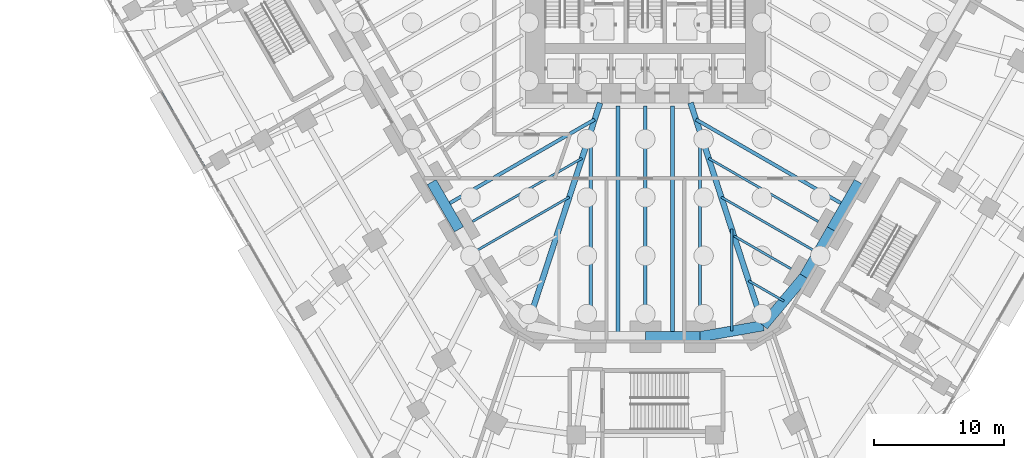
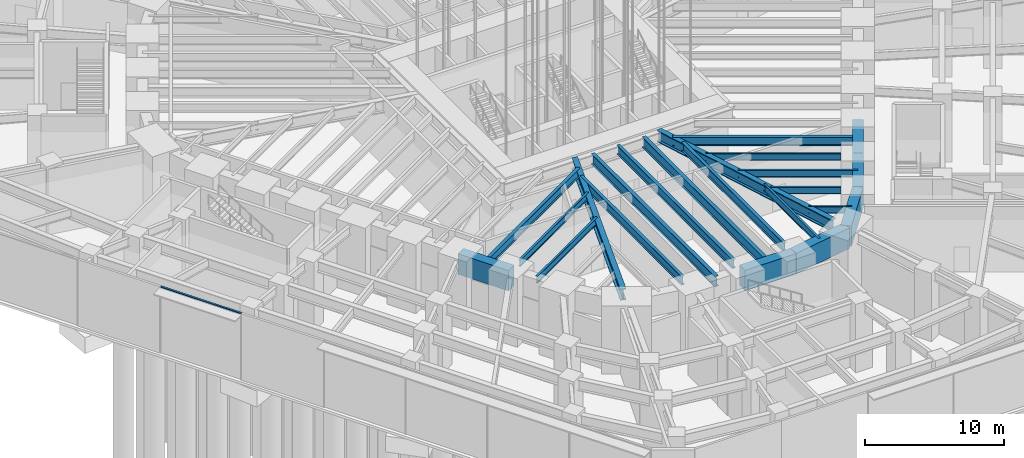
# One storey, part 5 of 34: 22 beams, 1 member, 1 element without a shape of its own.
"""IFC4 building model written with IfcOpenShell, lengths in metres."""

from ifc_helpers import new_model, si_unit, direction, frame, origin, origin_2d, place, context, subcontext, project, spatial, rectangle, i_section, extrude, material, material_profile, profile_set, type_object, element, aggregate, save


model = new_model("IFC4")

# Units and contexts
model_context = context("Model", 3, precision=1e-05, world=origin(), true_north=direction((0.0, 1.0)))
body_context = subcontext(model_context, "Body", "Model", "MODEL_VIEW")
ifc_project = project(units=[si_unit("LENGTHUNIT", "METRE"), si_unit("AREAUNIT", "SQUARE_METRE"), si_unit("VOLUMEUNIT", "CUBIC_METRE"), si_unit("PLANEANGLEUNIT", "RADIAN"), si_unit("MASSUNIT", "GRAM", prefix="KILO")], contexts=[model_context])

# Site, building, storey
site_placement = place(None, origin())
site = spatial("IfcSite", under=ifc_project, at=site_placement, CompositionType="ELEMENT")
building_placement = place(site_placement, origin())
building = spatial("IfcBuilding", under=site, at=building_placement, Name="Sandreach Pilgrim Tower", CompositionType="ELEMENT")
storey_placement = place(building_placement, origin())
storey = spatial("IfcBuildingStorey", under=building, at=storey_placement, Name="L00", CompositionType="ELEMENT", Elevation=0.0)

# Curtain wall, member
ifc_material_1 = material(Name="Aluminium framed curtain wall", Category="aluminium")
curtain_wall_type = type_object("IfcCurtainWallType", Name="Podium storefront curtain wall", PredefinedType="NOTDEFINED", material=ifc_material_1)
curtain_wall_placement = place(storey_placement, origin())
curtain_wall = element("IfcCurtainWall", 1, at=curtain_wall_placement, inside=storey, type_object=curtain_wall_type, Name="CW-P L00 SWB", PredefinedType="NOTDEFINED")
ifc_material_2 = material(Name="Aluminium extrusion", Category="aluminium")
ifc_material_profile_1 = material_profile(ifc_material_2, rectangle(XDim=0.159912109375, YDim=0.070068359375, at=origin_2d()), Name="CW-PT 160X70")
ifc_profile_set_1 = profile_set([ifc_material_profile_1], Name="Aluminium extrusion")
member_type = type_object("IfcMemberType", Name="CW-P transom", PredefinedType="USERDEFINED", material=ifc_profile_set_1)
member_placement = place(storey_placement, frame((-34.0244140625, -15.638916015625, 5.804931640625), z_axis=(-0.500012397847, 0.866018245766, 0.0), x_axis=(-0.866018245766, -0.500012397847, 0.0)))
member = element("IfcMember", 2, at=member_placement, type_object=member_type, Name="CW-P head transom 1", ObjectType="TRANSOM", PredefinedType="USERDEFINED", context=body_context, shape_type="SweptSolid", body=[
    extrude(rectangle(XDim=0.159912109375, YDim=0.070068359375, at=origin_2d()), origin(), (0.0, 0.0, 1.0), 6.656982421875),
])
aggregate(curtain_wall, [member])

# Beams
ifc_material_3 = material(Name="Steel ASTM A992 Grade 50", Category="steel")
ifc_material_profile_2 = material_profile(ifc_material_3, i_section(OverallWidth=0.434326171875, OverallDepth=0.998291015625, WebThickness=0.0380859375, FlangeThickness=0.068115234375, at=origin_2d()), Name="W36X487")
ifc_profile_set_2 = profile_set([ifc_material_profile_2], Name="Steel ASTM A992 Grade 50")
beam_type_1 = type_object("IfcBeamType", Name="Corner girder W36X487", PredefinedType="BEAM", material=ifc_profile_set_2)
for number, where, z_axis, x_axis, name in (
    (3, (8.73388671875, -26.756103515625, 5.3408203125), (-0.310315410754, 0.950633654911, 0.0), (-0.950633654911, -0.310315410754, 0.0), "BM L00 CG22"),
    (4, (-8.73388671875, -26.756103515625, 5.3408203125), (0.310315410754, 0.950633654911, 0.0), (-0.950633654911, 0.310315410754, 0.0), "BM L00 CG26"),
):
    element("IfcBeam", number, at=place(storey_placement, frame(where, z_axis=z_axis, x_axis=x_axis)), inside=storey, type_object=beam_type_1, Name=name, PredefinedType="BEAM", context=body_context, shape_type="SweptSolid", body=[
        extrude(i_section(OverallWidth=0.434326171875, OverallDepth=0.998291015625, WebThickness=0.0380859375, FlangeThickness=0.068115234375, at=origin_2d()), origin(), (0.0, 0.0, 1.0), 16.889892578125),
    ])
ifc_material_4 = material(Name="Steel ASTM A992 Grade 50", Category="steel")
ifc_material_profile_3 = material_profile(ifc_material_4, i_section(OverallWidth=0.1787109375, OverallDepth=0.60205078125, WebThickness=0.010986328125, FlangeThickness=0.014892578125, at=origin_2d()), Name="W24X62")
ifc_profile_set_3 = profile_set([ifc_material_profile_3], Name="Steel ASTM A992 Grade 50")
beam_type_2 = type_object("IfcBeamType", Name="Floor beam W24X62", PredefinedType="BEAM", material=ifc_profile_set_3)
beam_1_placement = place(storey_placement, frame((13.347412109375, -19.859130859375, 5.5390625), z_axis=(-0.866025751498, 0.499999397742, 0.0), x_axis=(-0.499999397742, -0.866025751498, 0.0)))
element("IfcBeam", 5, at=beam_1_placement, inside=storey, type_object=beam_type_2, Name="BM L00 F20", PredefinedType="BEAM", context=body_context, shape_type="SweptSolid", body=[
    extrude(i_section(OverallWidth=0.1787109375, OverallDepth=0.60205078125, WebThickness=0.010986328125, FlangeThickness=0.014892578125, at=origin_2d()), origin(), (0.0, 0.0, 1.0), 9.767578125),
])
beam_2_placement = place(storey_placement, frame((11.242431640625, -23.5048828125, 5.5390625), z_axis=(-0.866027897259, 0.49999568115, 0.0), x_axis=(-0.49999568115, -0.866027897259, 0.0)))
element("IfcBeam", 6, at=beam_2_placement, inside=storey, type_object=beam_type_2, Name="BM L00 F21", PredefinedType="BEAM", context=body_context, shape_type="SweptSolid", body=[
    extrude(i_section(OverallWidth=0.1787109375, OverallDepth=0.60205078125, WebThickness=0.010986328125, FlangeThickness=0.014892578125, at=origin_2d()), origin(), (0.0, 0.0, 1.0), 5.0791015625),
])
beam_3_placement = place(storey_placement, frame((-13.347412109375, -19.859130859375, 5.5390625), z_axis=(0.866025751498, 0.499999397742, 0.0), x_axis=(-0.499999397742, 0.866025751498, 0.0)))
element("IfcBeam", 7, at=beam_3_placement, inside=storey, type_object=beam_type_2, Name="BM L00 F28", PredefinedType="BEAM", context=body_context, shape_type="SweptSolid", body=[
    extrude(i_section(OverallWidth=0.1787109375, OverallDepth=0.60205078125, WebThickness=0.010986328125, FlangeThickness=0.014892578125, at=origin_2d()), origin(), (0.0, 0.0, 1.0), 9.767578125),
])
beam_4_placement = place(storey_placement, frame((13.334228515625, -22.281982421875, 5.5390625), z_axis=(-0.86602717807, 0.499996926835, 0.0), x_axis=(-0.499996926835, -0.86602717807, 0.0)))
element("IfcBeam", 8, at=beam_4_placement, inside=storey, type_object=beam_type_2, Name="BM L00 FM20", PredefinedType="BEAM", context=body_context, shape_type="SweptSolid", body=[
    extrude(i_section(OverallWidth=0.1787109375, OverallDepth=0.60205078125, WebThickness=0.010986328125, FlangeThickness=0.014892578125, at=origin_2d()), origin(), (0.0, 0.0, 1.0), 8.62353515625),
])
beam_5_placement = place(storey_placement, frame((10.694091796875, -26.0009765625, 5.5390625), z_axis=(-0.866023718453, 0.500002919068, 0.0), x_axis=(-0.500002919068, -0.866023718453, 0.0)))
element("IfcBeam", 9, at=beam_5_placement, inside=storey, type_object=beam_type_2, Name="BM L00 FM21", PredefinedType="BEAM", context=body_context, shape_type="SweptSolid", body=[
    extrude(i_section(OverallWidth=0.1787109375, OverallDepth=0.60205078125, WebThickness=0.010986328125, FlangeThickness=0.014892578125, at=origin_2d()), origin(), (0.0, 0.0, 1.0), 3.1396484375),
])
beam_6_placement = place(storey_placement, frame((6.664306640625, -28.323974609375, 5.5390625), z_axis=(0.0, 1.0, 0.0), x_axis=(-1.0, 0.0, 0.0)))
element("IfcBeam", 10, at=beam_6_placement, inside=storey, type_object=beam_type_2, Name="BM L00 FM22", PredefinedType="BEAM", context=body_context, shape_type="SweptSolid", body=[
    extrude(i_section(OverallWidth=0.1787109375, OverallDepth=0.60205078125, WebThickness=0.010986328125, FlangeThickness=0.014892578125, at=origin_2d()), origin(), (0.0, 0.0, 1.0), 7.907958984375),
])
beam_7_placement = place(storey_placement, frame((-13.334228515625, -22.281982421875, 5.5390625), z_axis=(0.86602717807, 0.499996926835, 0.0), x_axis=(-0.499996926835, 0.86602717807, 0.0)))
element("IfcBeam", 11, at=beam_7_placement, inside=storey, type_object=beam_type_2, Name="BM L00 FM27", PredefinedType="BEAM", context=body_context, shape_type="SweptSolid", body=[
    extrude(i_section(OverallWidth=0.1787109375, OverallDepth=0.60205078125, WebThickness=0.010986328125, FlangeThickness=0.014892578125, at=origin_2d()), origin(), (0.0, 0.0, 1.0), 8.62353515625),
])
ifc_material_5 = material(Name="Steel ASTM A992 Grade 50", Category="steel")
ifc_material_profile_4 = material_profile(ifc_material_5, i_section(OverallWidth=0.2666015625, OverallDepth=0.761962890625, WebThickness=0.014404296875, FlangeThickness=0.021484375, at=origin_2d()), Name="W30X116")
ifc_profile_set_4 = profile_set([ifc_material_profile_4], Name="Steel ASTM A992 Grade 50")
beam_type_3 = type_object("IfcBeamType", Name="Floor beam W30X116", PredefinedType="BEAM", material=ifc_profile_set_4)
for number, where, z_axis, x_axis, name in (
    (12, (4.222412109375, -27.55078125, 5.458984375), (0.0, 1.0, 0.0), (-1.0, 0.0, 0.0), "BM L00 F23"),
    (13, (-4.222412109375, -27.55078125, 5.458984375), (0.0, 1.0, 0.0), (-1.0, 0.0, 0.0), "BM L00 F25"),
):
    element("IfcBeam", number, at=place(storey_placement, frame(where, z_axis=z_axis, x_axis=x_axis)), inside=storey, type_object=beam_type_3, Name=name, PredefinedType="BEAM", context=body_context, shape_type="SweptSolid", body=[
        extrude(i_section(OverallWidth=0.2666015625, OverallDepth=0.761962890625, WebThickness=0.014404296875, FlangeThickness=0.021484375, at=origin_2d()), origin(), (0.0, 0.0, 1.0), 14.61572265625),
    ])
for number, where, z_axis, x_axis, name in (
    (14, (15.43896484375, -18.63623046875, 5.458984375), (-0.866021271874, 0.50000715661, 0.0), (-0.50000715661, -0.866021271874, 0.0), "BM L00 FM19"),
    (15, (-15.43896484375, -18.63623046875, 5.458984375), (0.866021271874, 0.50000715661, 0.0), (-0.50000715661, 0.866021271874, 0.0), "BM L00 FM28"),
):
    element("IfcBeam", number, at=place(storey_placement, frame(where, z_axis=z_axis, x_axis=x_axis)), inside=storey, type_object=beam_type_3, Name=name, PredefinedType="BEAM", context=body_context, shape_type="SweptSolid", body=[
        extrude(i_section(OverallWidth=0.2666015625, OverallDepth=0.761962890625, WebThickness=0.014404296875, FlangeThickness=0.021484375, at=origin_2d()), origin(), (0.0, 0.0, 1.0), 13.311767578125),
    ])
ifc_material_6 = material(Name="Steel ASTM A992 Grade 50", Category="steel")
ifc_material_profile_5 = material_profile(ifc_material_6, i_section(OverallWidth=0.2666015625, OverallDepth=0.77978515625, WebThickness=0.0166015625, FlangeThickness=0.030029296875, at=origin_2d()), Name="W30X148")
ifc_profile_set_5 = profile_set([ifc_material_profile_5], Name="Steel ASTM A992 Grade 50")
beam_type_4 = type_object("IfcBeamType", Name="Floor beam W30X148", PredefinedType="BEAM", material=ifc_profile_set_5)
beam_8_placement = place(storey_placement, frame((0.0, -27.55078125, 5.4501953125), z_axis=(0.0, 1.0, 0.0), x_axis=(-1.0, 0.0, 0.0)))
element("IfcBeam", 16, at=beam_8_placement, inside=storey, type_object=beam_type_4, Name="BM L00 F24", PredefinedType="BEAM", context=body_context, shape_type="SweptSolid", body=[
    extrude(i_section(OverallWidth=0.2666015625, OverallDepth=0.77978515625, WebThickness=0.0166015625, FlangeThickness=0.030029296875, at=origin_2d()), origin(), (0.0, 0.0, 1.0), 16.628662109375),
])
ifc_material_7 = material(Name="Steel ASTM A992 Grade 50", Category="steel")
ifc_material_profile_6 = material_profile(ifc_material_7, i_section(OverallWidth=0.3046875, OverallDepth=0.914306640625, WebThickness=0.0166015625, FlangeThickness=0.02587890625, at=origin_2d()), Name="W36X160")
ifc_profile_set_6 = profile_set([ifc_material_profile_6], Name="Steel ASTM A992 Grade 50")
beam_type_5 = type_object("IfcBeamType", Name="Floor beam W36X160", PredefinedType="BEAM", material=ifc_profile_set_6)
for number, where, z_axis, x_axis, name in (
    (17, (2.111083984375, -28.7509765625, 5.3828125), (0.0, 1.0, 0.0), (-1.0, 0.0, 0.0), "BM L00 FM23"),
    (18, (-2.111083984375, -28.7509765625, 5.3828125), (0.0, 1.0, 0.0), (-1.0, 0.0, 0.0), "BM L00 FM24"),
):
    element("IfcBeam", number, at=place(storey_placement, frame(where, z_axis=z_axis, x_axis=x_axis)), inside=storey, type_object=beam_type_5, Name=name, PredefinedType="BEAM", context=body_context, shape_type="SweptSolid", body=[
        extrude(i_section(OverallWidth=0.3046875, OverallDepth=0.914306640625, WebThickness=0.0166015625, FlangeThickness=0.02587890625, at=origin_2d()), origin(), (0.0, 0.0, 1.0), 17.828857421875),
    ])
ifc_material_8 = material(Name="Concrete 10000 psi", Category="concrete")
ifc_material_profile_7 = material_profile(ifc_material_8, rectangle(XDim=0.800048828125, YDim=1.800048828125, at=origin_2d()), Name="RC800X1800")
ifc_profile_set_7 = profile_set([ifc_material_profile_7], Name="Concrete 10000 psi")
beam_type_6 = type_object("IfcBeamType", Name="Spandrel beam RC800X1800", PredefinedType="SPANDREL", material=ifc_profile_set_7)
beam_9_placement = place(storey_placement, frame((16.491455078125, -16.813232421875, 4.93994140625), z_axis=(-0.499975138639, -0.866039757022, 0.0), x_axis=(0.866039757022, -0.499975138639, 0.0)))
element("IfcBeam", 19, at=beam_9_placement, inside=storey, type_object=beam_type_6, Name="BM L00 SP19", PredefinedType="SPANDREL", context=body_context, shape_type="SweptSolid", body=[
    extrude(rectangle(XDim=0.800048828125, YDim=1.800048828125, at=origin_2d()), origin(), (0.0, 0.0, 1.0), 4.209716796875),
])
beam_10_placement = place(storey_placement, frame((14.38671875, -20.458984375, 4.93994140625), z_axis=(-0.499993523031, -0.866029143232, 0.0), x_axis=(0.866029143232, -0.499993523031, 0.0)))
element("IfcBeam", 20, at=beam_10_placement, inside=storey, type_object=beam_type_6, Name="BM L00 SP20", PredefinedType="SPANDREL", context=body_context, shape_type="SweptSolid", body=[
    extrude(rectangle(XDim=0.800048828125, YDim=1.800048828125, at=origin_2d()), origin(), (0.0, 0.0, 1.0), 4.2099609375),
])
beam_11_placement = place(storey_placement, frame((12.28173828125, -24.10498046875, 4.93994140625), z_axis=(-0.642008193922, -0.766697775488, 0.0), x_axis=(0.766697775488, -0.642008193922, 0.0)))
element("IfcBeam", 21, at=beam_11_placement, inside=storey, type_object=beam_type_6, Name="BM L00 SP21", PredefinedType="SPANDREL", context=body_context, shape_type="SweptSolid", body=[
    extrude(rectangle(XDim=0.800048828125, YDim=1.800048828125, at=origin_2d()), origin(), (0.0, 0.0, 1.0), 4.94580078125),
])
beam_12_placement = place(storey_placement, frame((9.1064453125, -27.89697265625, 4.93994140625), z_axis=(-0.985054495501, -0.17224297052, 0.0), x_axis=(0.17224297052, -0.985054495501, 0.0)))
element("IfcBeam", 22, at=beam_12_placement, inside=storey, type_object=beam_type_6, Name="BM L00 SP22", PredefinedType="SPANDREL", context=body_context, shape_type="SweptSolid", body=[
    extrude(rectangle(XDim=0.800048828125, YDim=1.800048828125, at=origin_2d()), origin(), (0.0, 0.0, 1.0), 4.958251953125),
])
beam_13_placement = place(storey_placement, frame((4.222412109375, -28.7509765625, 4.93994140625), z_axis=(-1.0, 0.0, 0.0), x_axis=(0.0, -1.0, 0.0)))
element("IfcBeam", 23, at=beam_13_placement, inside=storey, type_object=beam_type_6, Name="BM L00 SP23", PredefinedType="SPANDREL", context=body_context, shape_type="SweptSolid", body=[
    extrude(rectangle(XDim=0.800048828125, YDim=1.800048828125, at=origin_2d()), origin(), (0.0, 0.0, 1.0), 4.222412109375),
])
beam_14_placement = place(storey_placement, frame((-14.38671875, -20.458984375, 4.93994140625), z_axis=(-0.499975138639, 0.866039757022, 0.0), x_axis=(-0.866039757022, -0.499975138639, 0.0)))
element("IfcBeam", 24, at=beam_14_placement, inside=storey, type_object=beam_type_6, Name="BM L00 SP28", PredefinedType="SPANDREL", context=body_context, shape_type="SweptSolid", body=[
    extrude(rectangle(XDim=0.800048828125, YDim=1.800048828125, at=origin_2d()), origin(), (0.0, 0.0, 1.0), 4.209716796875),
])

save(model, "model.ifc")
